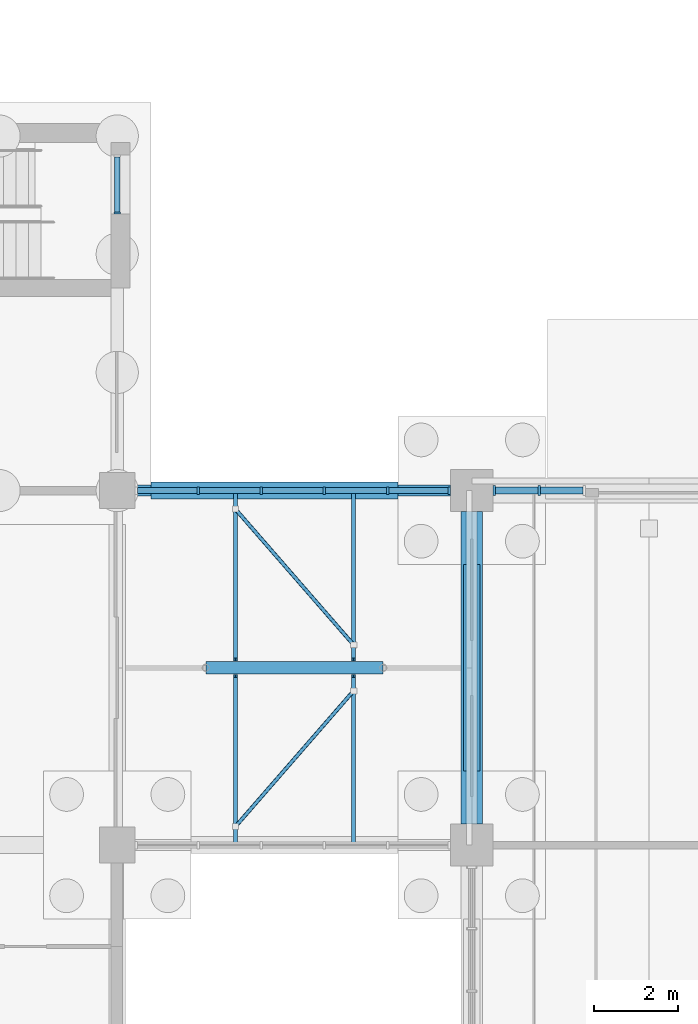
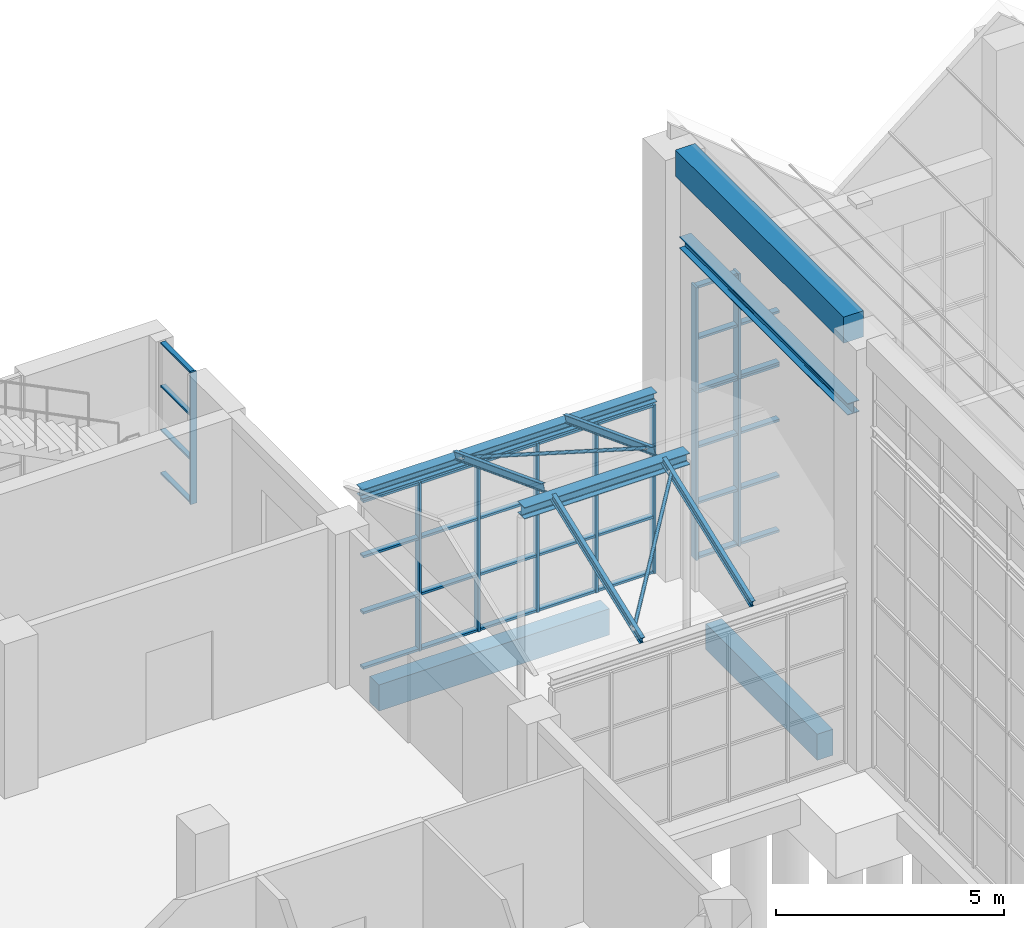
# One storey, part 52 of 138: 49 members, 10 beams, 4 elements without a shape of their own.
"""IFC4 building model written with IfcOpenShell, lengths in metres."""

from ifc_helpers import new_model, si_unit, direction, frame, origin, origin_2d, place, context, subcontext, project, spatial, rectangle, hollow_circle, i_section, extrude, material, material_profile, profile_set, type_object, element, aggregate, save


model = new_model("IFC4")

# Units and contexts
model_context = context("Model", 3, precision=1e-05, world=origin(), true_north=direction((0.0, 1.0)))
body_context = subcontext(model_context, "Body", "Model", "MODEL_VIEW")
ifc_project = project(units=[si_unit("LENGTHUNIT", "METRE"), si_unit("AREAUNIT", "SQUARE_METRE"), si_unit("VOLUMEUNIT", "CUBIC_METRE"), si_unit("PLANEANGLEUNIT", "RADIAN"), si_unit("MASSUNIT", "GRAM", prefix="KILO")], contexts=[model_context])

# Site, building, storey
site_placement = place(None, origin())
site = spatial("IfcSite", under=ifc_project, at=site_placement, CompositionType="ELEMENT")
building_placement = place(site_placement, origin())
building = spatial("IfcBuilding", under=site, at=building_placement, Name="Yavir Park General Hospital", CompositionType="ELEMENT")
storey_placement = place(building_placement, origin())
storey = spatial("IfcBuildingStorey", under=building, at=storey_placement, Name="L00", CompositionType="ELEMENT", Elevation=0.0)

# Members
ifc_material_1 = material(Name="Steel S355", Category="steel")
ifc_material_profile_1 = material_profile(ifc_material_1, hollow_circle(Radius=0.04443359375, WallThickness=0.0048828125, at=origin_2d()), Name="CHS88.9x5")
ifc_profile_set_1 = profile_set([ifc_material_profile_1], Name="Steel S355")
member_type_1 = type_object("IfcMemberType", Name="CHS 88.9x5 roof brace", PredefinedType="BRACE", material=ifc_profile_set_1)
for number, where, z_axis, x_axis, name in (
    (1, (70.0, 59.239013671875, 5.099609375), (0.631187804792, 0.724801062787, 0.276161862799), (-0.754128249894, 0.65672717525, 0.0), "RF:LINK:frame:X:0"),
    (2, (70.0, 66.760986328125, 5.099609375), (0.631187804792, -0.724801062787, 0.276161862799), (0.754128249894, 0.65672717525, 0.0), "RF:LINK:frame:X:1"),
):
    element("IfcMember", number, at=place(storey_placement, frame(where, z_axis=z_axis, x_axis=x_axis)), inside=storey, type_object=member_type_1, Name=name, PredefinedType="BRACE", context=body_context, shape_type="SweptSolid", body=[
        extrude(hollow_circle(Radius=0.04443359375, WallThickness=0.0048828125, at=origin_2d()), origin(), (0.0, 0.0, 1.0), 4.436279296875),
    ])

# Curtain wall, members
ifc_material_2 = material(Name="Aluminium curtain wall frame with insulated glazing", Category="aluminium")
curtain_wall_type_1 = type_object("IfcCurtainWallType", Name="Glazed link walls, 4525 high, 1400 module", PredefinedType="NOTDEFINED", material=ifc_material_2)
curtain_wall_1_placement = place(storey_placement, origin())
curtain_wall_1 = element("IfcCurtainWall", 3, at=curtain_wall_1_placement, inside=storey, type_object=curtain_wall_type_1, Name="CW38 L00-022", PredefinedType="NOTDEFINED")
ifc_material_3 = material(Name="Aluminium", Category="aluminium")
ifc_material_profile_2 = material_profile(ifc_material_3, rectangle(XDim=0.179931640625, YDim=0.06005859375, at=origin_2d()), Name="AL 60x180")
ifc_profile_set_2 = profile_set([ifc_material_profile_2], Name="Aluminium")
member_type_2 = type_object("IfcMemberType", Name="Glazed link walls, 4525 high mullion 60 x 180", PredefinedType="MULLION", material=ifc_profile_set_2)
member_1_placement = place(storey_placement, frame((69.1201171875, 67.199951171875, 0.0), z_axis=(0.0, 0.0, 1.0), x_axis=(0.0, 1.0, 0.0)))
member_1 = element("IfcMember", 4, at=member_1_placement, type_object=member_type_2, Name="CW38 mullion 2", PredefinedType="MULLION", context=body_context, shape_type="SweptSolid", body=[
    extrude(rectangle(XDim=0.179931640625, YDim=0.06005859375, at=origin_2d()), origin(), (0.0, 0.0, 1.0), 4.52490234375),
])
member_2_placement = place(storey_placement, frame((70.614990234375, 67.199951171875, 0.0), z_axis=(0.0, 0.0, 1.0), x_axis=(0.0, 1.0, 0.0)))
member_2 = element("IfcMember", 5, at=member_2_placement, type_object=member_type_2, Name="CW38 mullion 3", PredefinedType="MULLION", context=body_context, shape_type="SweptSolid", body=[
    extrude(rectangle(XDim=0.179931640625, YDim=0.06005859375, at=origin_2d()), origin(), (0.0, 0.0, 1.0), 4.52490234375),
])
member_3_placement = place(storey_placement, frame((72.110107421875, 67.199951171875, 0.0), z_axis=(0.0, 0.0, 1.0), x_axis=(0.0, 1.0, 0.0)))
member_3 = element("IfcMember", 6, at=member_3_placement, type_object=member_type_2, Name="CW38 mullion 4", PredefinedType="MULLION", context=body_context, shape_type="SweptSolid", body=[
    extrude(rectangle(XDim=0.179931640625, YDim=0.06005859375, at=origin_2d()), origin(), (0.0, 0.0, 1.0), 4.52490234375),
])
member_4_placement = place(storey_placement, frame((73.60498046875, 67.199951171875, 0.0), z_axis=(0.0, 0.0, 1.0), x_axis=(0.0, 1.0, 0.0)))
member_4 = element("IfcMember", 7, at=member_4_placement, type_object=member_type_2, Name="CW38 mullion 5", PredefinedType="MULLION", context=body_context, shape_type="SweptSolid", body=[
    extrude(rectangle(XDim=0.179931640625, YDim=0.06005859375, at=origin_2d()), origin(), (0.0, 0.0, 1.0), 4.52490234375),
])
member_5_placement = place(storey_placement, frame((75.070068359375, 67.199951171875, 0.0), z_axis=(0.0, 0.0, 1.0), x_axis=(0.0, 1.0, 0.0)))
member_5 = element("IfcMember", 8, at=member_5_placement, type_object=member_type_2, Name="CW38 mullion 6", PredefinedType="MULLION", context=body_context, shape_type="SweptSolid", body=[
    extrude(rectangle(XDim=0.179931640625, YDim=0.06005859375, at=origin_2d()), origin(), (0.0, 0.0, 1.0), 4.52490234375),
])
ifc_material_4 = material(Name="Aluminium", Category="aluminium")
ifc_material_profile_3 = material_profile(ifc_material_4, rectangle(XDim=0.139892578125, YDim=0.06005859375, at=origin_2d()), Name="AL 140x60")
ifc_profile_set_3 = profile_set([ifc_material_profile_3], Name="Aluminium")
member_type_3 = type_object("IfcMemberType", Name="Glazed link walls, 4525 high transom 60 x 140", PredefinedType="MULLION", material=ifc_profile_set_3)
member_6_placement = place(storey_placement, frame((67.68505859375, 67.199951171875, 0.030029296875), z_axis=(1.0, 0.0, 0.0), x_axis=(0.0, 1.0, 0.0)))
member_6 = element("IfcMember", 9, at=member_6_placement, type_object=member_type_3, Name="CW38 transom 1.1", PredefinedType="MULLION", context=body_context, shape_type="SweptSolid", body=[
    extrude(rectangle(XDim=0.139892578125, YDim=0.06005859375, at=origin_2d()), origin(), (0.0, 0.0, 1.0), 1.405029296875),
])
member_7_placement = place(storey_placement, frame((67.68505859375, 67.199951171875, 1.50830078125), z_axis=(1.0, 0.0, 0.0), x_axis=(0.0, 1.0, 0.0)))
member_7 = element("IfcMember", 10, at=member_7_placement, type_object=member_type_3, Name="CW38 transom 1.2", PredefinedType="MULLION", context=body_context, shape_type="SweptSolid", body=[
    extrude(rectangle(XDim=0.139892578125, YDim=0.06005859375, at=origin_2d()), origin(), (0.0, 0.0, 1.0), 1.405029296875),
])
member_8_placement = place(storey_placement, frame((67.68505859375, 67.199951171875, 3.0166015625), z_axis=(1.0, 0.0, 0.0), x_axis=(0.0, 1.0, 0.0)))
member_8 = element("IfcMember", 11, at=member_8_placement, type_object=member_type_3, Name="CW38 transom 1.3", PredefinedType="MULLION", context=body_context, shape_type="SweptSolid", body=[
    extrude(rectangle(XDim=0.139892578125, YDim=0.06005859375, at=origin_2d()), origin(), (0.0, 0.0, 1.0), 1.405029296875),
])
member_9_placement = place(storey_placement, frame((67.68505859375, 67.199951171875, 4.4951171875), z_axis=(1.0, 0.0, 0.0), x_axis=(0.0, 1.0, 0.0)))
member_9 = element("IfcMember", 12, at=member_9_placement, type_object=member_type_3, Name="CW38 transom 1.4", PredefinedType="MULLION", context=body_context, shape_type="SweptSolid", body=[
    extrude(rectangle(XDim=0.139892578125, YDim=0.06005859375, at=origin_2d()), origin(), (0.0, 0.0, 1.0), 1.405029296875),
])
member_10_placement = place(storey_placement, frame((69.14990234375, 67.199951171875, 0.030029296875), z_axis=(1.0, 0.0, 0.0), x_axis=(0.0, 1.0, 0.0)))
member_10 = element("IfcMember", 13, at=member_10_placement, type_object=member_type_3, Name="CW38 transom 2.1", PredefinedType="MULLION", context=body_context, shape_type="SweptSolid", body=[
    extrude(rectangle(XDim=0.139892578125, YDim=0.06005859375, at=origin_2d()), origin(), (0.0, 0.0, 1.0), 1.43505859375),
])
member_11_placement = place(storey_placement, frame((69.14990234375, 67.199951171875, 1.50830078125), z_axis=(1.0, 0.0, 0.0), x_axis=(0.0, 1.0, 0.0)))
member_11 = element("IfcMember", 14, at=member_11_placement, type_object=member_type_3, Name="CW38 transom 2.2", PredefinedType="MULLION", context=body_context, shape_type="SweptSolid", body=[
    extrude(rectangle(XDim=0.139892578125, YDim=0.06005859375, at=origin_2d()), origin(), (0.0, 0.0, 1.0), 1.43505859375),
])
member_12_placement = place(storey_placement, frame((69.14990234375, 67.199951171875, 3.0166015625), z_axis=(1.0, 0.0, 0.0), x_axis=(0.0, 1.0, 0.0)))
member_12 = element("IfcMember", 15, at=member_12_placement, type_object=member_type_3, Name="CW38 transom 2.3", PredefinedType="MULLION", context=body_context, shape_type="SweptSolid", body=[
    extrude(rectangle(XDim=0.139892578125, YDim=0.06005859375, at=origin_2d()), origin(), (0.0, 0.0, 1.0), 1.43505859375),
])
member_13_placement = place(storey_placement, frame((69.14990234375, 67.199951171875, 4.4951171875), z_axis=(1.0, 0.0, 0.0), x_axis=(0.0, 1.0, 0.0)))
member_13 = element("IfcMember", 16, at=member_13_placement, type_object=member_type_3, Name="CW38 transom 2.4", PredefinedType="MULLION", context=body_context, shape_type="SweptSolid", body=[
    extrude(rectangle(XDim=0.139892578125, YDim=0.06005859375, at=origin_2d()), origin(), (0.0, 0.0, 1.0), 1.43505859375),
])
member_14_placement = place(storey_placement, frame((70.64501953125, 67.199951171875, 0.030029296875), z_axis=(1.0, 0.0, 0.0), x_axis=(0.0, 1.0, 0.0)))
member_14 = element("IfcMember", 17, at=member_14_placement, type_object=member_type_3, Name="CW38 transom 3.1", PredefinedType="MULLION", context=body_context, shape_type="SweptSolid", body=[
    extrude(rectangle(XDim=0.139892578125, YDim=0.06005859375, at=origin_2d()), origin(), (0.0, 0.0, 1.0), 1.43505859375),
])
member_15_placement = place(storey_placement, frame((70.64501953125, 67.199951171875, 1.50830078125), z_axis=(1.0, 0.0, 0.0), x_axis=(0.0, 1.0, 0.0)))
member_15 = element("IfcMember", 18, at=member_15_placement, type_object=member_type_3, Name="CW38 transom 3.2", PredefinedType="MULLION", context=body_context, shape_type="SweptSolid", body=[
    extrude(rectangle(XDim=0.139892578125, YDim=0.06005859375, at=origin_2d()), origin(), (0.0, 0.0, 1.0), 1.43505859375),
])
member_16_placement = place(storey_placement, frame((70.64501953125, 67.199951171875, 3.0166015625), z_axis=(1.0, 0.0, 0.0), x_axis=(0.0, 1.0, 0.0)))
member_16 = element("IfcMember", 19, at=member_16_placement, type_object=member_type_3, Name="CW38 transom 3.3", PredefinedType="MULLION", context=body_context, shape_type="SweptSolid", body=[
    extrude(rectangle(XDim=0.139892578125, YDim=0.06005859375, at=origin_2d()), origin(), (0.0, 0.0, 1.0), 1.43505859375),
])
member_17_placement = place(storey_placement, frame((70.64501953125, 67.199951171875, 4.4951171875), z_axis=(1.0, 0.0, 0.0), x_axis=(0.0, 1.0, 0.0)))
member_17 = element("IfcMember", 20, at=member_17_placement, type_object=member_type_3, Name="CW38 transom 3.4", PredefinedType="MULLION", context=body_context, shape_type="SweptSolid", body=[
    extrude(rectangle(XDim=0.139892578125, YDim=0.06005859375, at=origin_2d()), origin(), (0.0, 0.0, 1.0), 1.43505859375),
])
member_18_placement = place(storey_placement, frame((72.139892578125, 67.199951171875, 0.030029296875), z_axis=(1.0, 0.0, 0.0), x_axis=(0.0, 1.0, 0.0)))
member_18 = element("IfcMember", 21, at=member_18_placement, type_object=member_type_3, Name="CW38 transom 4.1", PredefinedType="MULLION", context=body_context, shape_type="SweptSolid", body=[
    extrude(rectangle(XDim=0.139892578125, YDim=0.06005859375, at=origin_2d()), origin(), (0.0, 0.0, 1.0), 1.43505859375),
])
member_19_placement = place(storey_placement, frame((72.139892578125, 67.199951171875, 1.50830078125), z_axis=(1.0, 0.0, 0.0), x_axis=(0.0, 1.0, 0.0)))
member_19 = element("IfcMember", 22, at=member_19_placement, type_object=member_type_3, Name="CW38 transom 4.2", PredefinedType="MULLION", context=body_context, shape_type="SweptSolid", body=[
    extrude(rectangle(XDim=0.139892578125, YDim=0.06005859375, at=origin_2d()), origin(), (0.0, 0.0, 1.0), 1.43505859375),
])
member_20_placement = place(storey_placement, frame((72.139892578125, 67.199951171875, 3.0166015625), z_axis=(1.0, 0.0, 0.0), x_axis=(0.0, 1.0, 0.0)))
member_20 = element("IfcMember", 23, at=member_20_placement, type_object=member_type_3, Name="CW38 transom 4.3", PredefinedType="MULLION", context=body_context, shape_type="SweptSolid", body=[
    extrude(rectangle(XDim=0.139892578125, YDim=0.06005859375, at=origin_2d()), origin(), (0.0, 0.0, 1.0), 1.43505859375),
])
member_21_placement = place(storey_placement, frame((72.139892578125, 67.199951171875, 4.4951171875), z_axis=(1.0, 0.0, 0.0), x_axis=(0.0, 1.0, 0.0)))
member_21 = element("IfcMember", 24, at=member_21_placement, type_object=member_type_3, Name="CW38 transom 4.4", PredefinedType="MULLION", context=body_context, shape_type="SweptSolid", body=[
    extrude(rectangle(XDim=0.139892578125, YDim=0.06005859375, at=origin_2d()), origin(), (0.0, 0.0, 1.0), 1.43505859375),
])
member_22_placement = place(storey_placement, frame((73.635009765625, 67.199951171875, 0.030029296875), z_axis=(1.0, 0.0, 0.0), x_axis=(0.0, 1.0, 0.0)))
member_22 = element("IfcMember", 25, at=member_22_placement, type_object=member_type_3, Name="CW38 transom 5.1", PredefinedType="MULLION", context=body_context, shape_type="SweptSolid", body=[
    extrude(rectangle(XDim=0.139892578125, YDim=0.06005859375, at=origin_2d()), origin(), (0.0, 0.0, 1.0), 1.405029296875),
])
member_23_placement = place(storey_placement, frame((73.635009765625, 67.199951171875, 1.50830078125), z_axis=(1.0, 0.0, 0.0), x_axis=(0.0, 1.0, 0.0)))
member_23 = element("IfcMember", 26, at=member_23_placement, type_object=member_type_3, Name="CW38 transom 5.2", PredefinedType="MULLION", context=body_context, shape_type="SweptSolid", body=[
    extrude(rectangle(XDim=0.139892578125, YDim=0.06005859375, at=origin_2d()), origin(), (0.0, 0.0, 1.0), 1.405029296875),
])
member_24_placement = place(storey_placement, frame((73.635009765625, 67.199951171875, 3.0166015625), z_axis=(1.0, 0.0, 0.0), x_axis=(0.0, 1.0, 0.0)))
member_24 = element("IfcMember", 27, at=member_24_placement, type_object=member_type_3, Name="CW38 transom 5.3", PredefinedType="MULLION", context=body_context, shape_type="SweptSolid", body=[
    extrude(rectangle(XDim=0.139892578125, YDim=0.06005859375, at=origin_2d()), origin(), (0.0, 0.0, 1.0), 1.405029296875),
])
member_25_placement = place(storey_placement, frame((73.635009765625, 67.199951171875, 4.4951171875), z_axis=(1.0, 0.0, 0.0), x_axis=(0.0, 1.0, 0.0)))
member_25 = element("IfcMember", 28, at=member_25_placement, type_object=member_type_3, Name="CW38 transom 5.4", PredefinedType="MULLION", context=body_context, shape_type="SweptSolid", body=[
    extrude(rectangle(XDim=0.139892578125, YDim=0.06005859375, at=origin_2d()), origin(), (0.0, 0.0, 1.0), 1.405029296875),
])
aggregate(curtain_wall_1, [member_1, member_2, member_3, member_4, member_5, member_6, member_7, member_8, member_9, member_10, member_11, member_12, member_13, member_14, member_15, member_16, member_17, member_18, member_19, member_20, member_21, member_22, member_23, member_24, member_25])

# Beams
ifc_material_5 = material(Name="Steel S355", Category="steel")
ifc_material_profile_4 = material_profile(ifc_material_5, i_section(OverallWidth=0.260009765625, OverallDepth=0.25, WebThickness=0.007568359375, FlangeThickness=0.012451171875, FilletRadius=0.02392578125, at=origin_2d()), Name="HEA260")
ifc_profile_set_4 = profile_set([ifc_material_profile_4], Name="Steel S355")
beam_type_1 = type_object("IfcBeamType", Name="HEA 260 eave beam", PredefinedType="BEAM", material=ifc_profile_set_4)
beam_1_placement = place(storey_placement, frame((67.625, 67.199951171875, 4.7470703125), z_axis=(1.0, 0.0, 0.0), x_axis=(0.0, 1.0, 0.0)))
element("IfcBeam", 29, at=beam_1_placement, inside=storey, type_object=beam_type_1, Name="RF:LINK:frame:E:1", PredefinedType="BEAM", context=body_context, shape_type="SweptSolid", body=[
    extrude(i_section(OverallWidth=0.260009765625, OverallDepth=0.25, WebThickness=0.007568359375, FlangeThickness=0.012451171875, FilletRadius=0.02392578125, at=origin_2d()), origin(), (0.0, 0.0, 1.0), 7.47509765625),
])
ifc_material_6 = material(Name="Steel S355", Category="steel")
ifc_material_profile_5 = material_profile(ifc_material_6, i_section(OverallWidth=0.300048828125, OverallDepth=0.31005859375, WebThickness=0.009033203125, FlangeThickness=0.015380859375, FilletRadius=0.027099609375, at=origin_2d()), Name="HEA320")
ifc_profile_set_5 = profile_set([ifc_material_profile_5], Name="Steel S355")
beam_type_2 = type_object("IfcBeamType", Name="HEA 320 ridge beam", PredefinedType="BEAM", material=ifc_profile_set_5)
beam_2_placement = place(storey_placement, frame((69.300048828125, 63.0, 6.212890625), z_axis=(1.0, 0.0, 0.0), x_axis=(0.0, 1.0, 0.0)))
element("IfcBeam", 30, at=beam_2_placement, inside=storey, type_object=beam_type_2, Name="RF:LINK:frame:G:0", PredefinedType="BEAM", context=body_context, shape_type="SweptSolid", body=[
    extrude(i_section(OverallWidth=0.300048828125, OverallDepth=0.31005859375, WebThickness=0.009033203125, FlangeThickness=0.015380859375, FilletRadius=0.027099609375, at=origin_2d()), origin(), (0.0, 0.0, 1.0), 4.199951171875),
])
ifc_material_7 = material(Name="Steel S355", Category="steel")
ifc_material_profile_6 = material_profile(ifc_material_7, i_section(OverallWidth=0.300048828125, OverallDepth=0.31005859375, WebThickness=0.009033203125, FlangeThickness=0.015380859375, FilletRadius=0.027099609375, at=origin_2d()), Name="HEA320")
ifc_profile_set_6 = profile_set([ifc_material_profile_6], Name="Steel S355")
beam_type_3 = type_object("IfcBeamType", Name="HEA 320 wind girder", PredefinedType="BEAM", material=ifc_profile_set_6)
beam_3_placement = place(storey_placement, frame((75.60009765625, 59.300048828125, 9.0), z_axis=(0.0, 1.0, 0.0), x_axis=(-1.0, 0.0, 0.0)))
element("IfcBeam", 31, at=beam_3_placement, inside=storey, type_object=beam_type_3, Name="B:HALL:WIND:W2", PredefinedType="BEAM", context=body_context, shape_type="SweptSolid", body=[
    extrude(i_section(OverallWidth=0.300048828125, OverallDepth=0.31005859375, WebThickness=0.009033203125, FlangeThickness=0.015380859375, FilletRadius=0.027099609375, at=origin_2d()), origin(), (0.0, 0.0, 1.0), 7.39990234375),
])
ifc_material_8 = material(Name="Steel S355", Category="steel")
ifc_material_profile_7 = material_profile(ifc_material_8, i_section(OverallWidth=0.10009765625, OverallDepth=0.199951171875, WebThickness=0.005615234375, FlangeThickness=0.008544921875, FilletRadius=0.011962890625, at=origin_2d()), Name="IPE200")
ifc_profile_set_7 = profile_set([ifc_material_profile_7], Name="Steel S355")
beam_type_4 = type_object("IfcBeamType", Name="IPE 200 rafter", PredefinedType="JOIST", material=ifc_profile_set_7)
for number, where, z_axis, x_axis, name in (
    (32, (70.0, 58.888916015625, 4.96630859375), (0.0, 0.93448219659, 0.356009865392), (-1.0, 0.0, 0.0), "RF:LINK:frame:R:0"),
    (33, (70.0, 63.195556640625, 6.4580078125), (0.0, 0.93448219659, -0.356009865392), (-1.0, 0.0, 0.0), "RF:LINK:frame:R:1"),
    (34, (72.800048828125, 58.888916015625, 4.96630859375), (0.0, 0.93448219659, 0.356009865392), (-1.0, 0.0, 0.0), "RF:LINK:frame:R:2"),
    (35, (72.800048828125, 63.195556640625, 6.4580078125), (0.0, 0.93448219659, -0.356009865392), (-1.0, 0.0, 0.0), "RF:LINK:frame:R:3"),
):
    element("IfcBeam", number, at=place(storey_placement, frame(where, z_axis=z_axis, x_axis=x_axis)), inside=storey, type_object=beam_type_4, Name=name, PredefinedType="JOIST", context=body_context, shape_type="SweptSolid", body=[
        extrude(i_section(OverallWidth=0.10009765625, OverallDepth=0.199951171875, WebThickness=0.005615234375, FlangeThickness=0.008544921875, FilletRadius=0.011962890625, at=origin_2d()), origin(), (0.0, 0.0, 1.0), 4.18994140625),
    ])

# Curtain wall, members
ifc_material_9 = material(Name="Aluminium curtain wall frame with insulated glazing", Category="aluminium")
curtain_wall_type_2 = type_object("IfcCurtainWallType", Name="Main hall glazing, lower band, 4500 high, 1400 module", PredefinedType="NOTDEFINED", material=ifc_material_9)
curtain_wall_2_placement = place(storey_placement, origin())
curtain_wall_2 = element("IfcCurtainWall", 36, at=curtain_wall_2_placement, inside=storey, type_object=curtain_wall_type_2, Name="CW33 L00-023", PredefinedType="NOTDEFINED")
ifc_material_10 = material(Name="Aluminium", Category="aluminium")
ifc_material_profile_8 = material_profile(ifc_material_10, rectangle(XDim=0.239990234375, YDim=0.06005859375, at=origin_2d()), Name="AL 60x240")
ifc_profile_set_8 = profile_set([ifc_material_profile_8], Name="Aluminium")
member_type_4 = type_object("IfcMemberType", Name="Main hall glazing, lower band, 4500 high mullion 60 x 240", PredefinedType="MULLION", material=ifc_profile_set_8)
member_26_placement = place(storey_placement, frame((76.1298828125, 67.199951171875, 0.0), z_axis=(0.0, 0.0, 1.0), x_axis=(0.0, 1.0, 0.0)))
member_26 = element("IfcMember", 37, at=member_26_placement, type_object=member_type_4, Name="CW33 mullion 1", PredefinedType="MULLION", context=body_context, shape_type="SweptSolid", body=[
    extrude(rectangle(XDim=0.239990234375, YDim=0.06005859375, at=origin_2d()), origin(), (0.0, 0.0, 1.0), 4.5),
])
member_27_placement = place(storey_placement, frame((77.199951171875, 67.199951171875, 0.0), z_axis=(0.0, 0.0, 1.0), x_axis=(0.0, 1.0, 0.0)))
member_27 = element("IfcMember", 38, at=member_27_placement, type_object=member_type_4, Name="CW33 mullion 2", PredefinedType="MULLION", context=body_context, shape_type="SweptSolid", body=[
    extrude(rectangle(XDim=0.239990234375, YDim=0.06005859375, at=origin_2d()), origin(), (0.0, 0.0, 1.0), 4.5),
])
ifc_material_11 = material(Name="Aluminium", Category="aluminium")
ifc_material_profile_9 = material_profile(ifc_material_11, rectangle(XDim=0.159912109375, YDim=0.06005859375, at=origin_2d()), Name="AL 160x60")
ifc_profile_set_9 = profile_set([ifc_material_profile_9], Name="Aluminium")
member_type_5 = type_object("IfcMemberType", Name="Main hall glazing, lower band, 4500 high transom 60 x 160", PredefinedType="MULLION", material=ifc_profile_set_9)
member_28_placement = place(storey_placement, frame((76.159912109375, 67.199951171875, 0.030029296875), z_axis=(1.0, 0.0, 0.0), x_axis=(0.0, 1.0, 0.0)))
member_28 = element("IfcMember", 39, at=member_28_placement, type_object=member_type_5, Name="CW33 transom 1.1", PredefinedType="MULLION", context=body_context, shape_type="SweptSolid", body=[
    extrude(rectangle(XDim=0.159912109375, YDim=0.06005859375, at=origin_2d()), origin(), (0.0, 0.0, 1.0), 1.010009765625),
])
member_29_placement = place(storey_placement, frame((76.159912109375, 67.199951171875, 1.5), z_axis=(1.0, 0.0, 0.0), x_axis=(0.0, 1.0, 0.0)))
member_29 = element("IfcMember", 40, at=member_29_placement, type_object=member_type_5, Name="CW33 transom 1.2", PredefinedType="MULLION", context=body_context, shape_type="SweptSolid", body=[
    extrude(rectangle(XDim=0.159912109375, YDim=0.06005859375, at=origin_2d()), origin(), (0.0, 0.0, 1.0), 1.010009765625),
])
member_30_placement = place(storey_placement, frame((76.159912109375, 67.199951171875, 3.0), z_axis=(1.0, 0.0, 0.0), x_axis=(0.0, 1.0, 0.0)))
member_30 = element("IfcMember", 41, at=member_30_placement, type_object=member_type_5, Name="CW33 transom 1.3", PredefinedType="MULLION", context=body_context, shape_type="SweptSolid", body=[
    extrude(rectangle(XDim=0.159912109375, YDim=0.06005859375, at=origin_2d()), origin(), (0.0, 0.0, 1.0), 1.010009765625),
])
member_31_placement = place(storey_placement, frame((76.159912109375, 67.199951171875, 4.469970703125), z_axis=(1.0, 0.0, 0.0), x_axis=(0.0, 1.0, 0.0)))
member_31 = element("IfcMember", 42, at=member_31_placement, type_object=member_type_5, Name="CW33 transom 1.4", PredefinedType="MULLION", context=body_context, shape_type="SweptSolid", body=[
    extrude(rectangle(XDim=0.159912109375, YDim=0.06005859375, at=origin_2d()), origin(), (0.0, 0.0, 1.0), 1.010009765625),
])
member_32_placement = place(storey_placement, frame((77.22998046875, 67.199951171875, 0.030029296875), z_axis=(1.0, 0.0, 0.0), x_axis=(0.0, 1.0, 0.0)))
member_32 = element("IfcMember", 43, at=member_32_placement, type_object=member_type_5, Name="CW33 transom 2.1", PredefinedType="MULLION", context=body_context, shape_type="SweptSolid", body=[
    extrude(rectangle(XDim=0.159912109375, YDim=0.06005859375, at=origin_2d()), origin(), (0.0, 0.0, 1.0), 1.010009765625),
])
member_33_placement = place(storey_placement, frame((77.22998046875, 67.199951171875, 1.5), z_axis=(1.0, 0.0, 0.0), x_axis=(0.0, 1.0, 0.0)))
member_33 = element("IfcMember", 44, at=member_33_placement, type_object=member_type_5, Name="CW33 transom 2.2", PredefinedType="MULLION", context=body_context, shape_type="SweptSolid", body=[
    extrude(rectangle(XDim=0.159912109375, YDim=0.06005859375, at=origin_2d()), origin(), (0.0, 0.0, 1.0), 1.010009765625),
])
member_34_placement = place(storey_placement, frame((77.22998046875, 67.199951171875, 3.0), z_axis=(1.0, 0.0, 0.0), x_axis=(0.0, 1.0, 0.0)))
member_34 = element("IfcMember", 45, at=member_34_placement, type_object=member_type_5, Name="CW33 transom 2.3", PredefinedType="MULLION", context=body_context, shape_type="SweptSolid", body=[
    extrude(rectangle(XDim=0.159912109375, YDim=0.06005859375, at=origin_2d()), origin(), (0.0, 0.0, 1.0), 1.010009765625),
])
member_35_placement = place(storey_placement, frame((77.22998046875, 67.199951171875, 4.469970703125), z_axis=(1.0, 0.0, 0.0), x_axis=(0.0, 1.0, 0.0)))
member_35 = element("IfcMember", 46, at=member_35_placement, type_object=member_type_5, Name="CW33 transom 2.4", PredefinedType="MULLION", context=body_context, shape_type="SweptSolid", body=[
    extrude(rectangle(XDim=0.159912109375, YDim=0.06005859375, at=origin_2d()), origin(), (0.0, 0.0, 1.0), 1.010009765625),
])
aggregate(curtain_wall_2, [member_26, member_27, member_28, member_29, member_30, member_31, member_32, member_33, member_34, member_35])

ifc_material_12 = material(Name="Aluminium curtain wall frame with insulated glazing", Category="aluminium")
curtain_wall_type_3 = type_object("IfcCurtainWallType", Name="Main hall glazing, upper band, 2817 high, 1400 module", PredefinedType="NOTDEFINED", material=ifc_material_12)
curtain_wall_3_placement = place(storey_placement, origin())
curtain_wall_3 = element("IfcCurtainWall", 47, at=curtain_wall_3_placement, inside=storey, type_object=curtain_wall_type_3, Name="CW34 L00-024", PredefinedType="NOTDEFINED")
ifc_material_13 = material(Name="Aluminium", Category="aluminium")
ifc_material_profile_10 = material_profile(ifc_material_13, rectangle(XDim=0.239990234375, YDim=0.06005859375, at=origin_2d()), Name="AL 60x240")
ifc_profile_set_10 = profile_set([ifc_material_profile_10], Name="Aluminium")
member_type_6 = type_object("IfcMemberType", Name="Main hall glazing, upper band, 2817 high mullion 60 x 240", PredefinedType="MULLION", material=ifc_profile_set_10)
member_36_placement = place(storey_placement, frame((76.1298828125, 67.199951171875, 4.5), z_axis=(0.0, 0.0, 1.0), x_axis=(0.0, 1.0, 0.0)))
member_36 = element("IfcMember", 48, at=member_36_placement, type_object=member_type_6, Name="CW34 mullion 1", PredefinedType="MULLION", context=body_context, shape_type="SweptSolid", body=[
    extrude(rectangle(XDim=0.239990234375, YDim=0.06005859375, at=origin_2d()), origin(), (0.0, 0.0, 1.0), 2.81689453125),
])
member_37_placement = place(storey_placement, frame((77.199951171875, 67.199951171875, 4.5), z_axis=(0.0, 0.0, 1.0), x_axis=(0.0, 1.0, 0.0)))
member_37 = element("IfcMember", 49, at=member_37_placement, type_object=member_type_6, Name="CW34 mullion 2", PredefinedType="MULLION", context=body_context, shape_type="SweptSolid", body=[
    extrude(rectangle(XDim=0.239990234375, YDim=0.06005859375, at=origin_2d()), origin(), (0.0, 0.0, 1.0), 2.81689453125),
])
ifc_material_14 = material(Name="Aluminium", Category="aluminium")
ifc_material_profile_11 = material_profile(ifc_material_14, rectangle(XDim=0.159912109375, YDim=0.06005859375, at=origin_2d()), Name="AL 160x60")
ifc_profile_set_11 = profile_set([ifc_material_profile_11], Name="Aluminium")
member_type_7 = type_object("IfcMemberType", Name="Main hall glazing, upper band, 2817 high transom 60 x 160", PredefinedType="MULLION", material=ifc_profile_set_11)
member_38_placement = place(storey_placement, frame((76.159912109375, 67.199951171875, 4.530029296875), z_axis=(1.0, 0.0, 0.0), x_axis=(0.0, 1.0, 0.0)))
member_38 = element("IfcMember", 50, at=member_38_placement, type_object=member_type_7, Name="CW34 transom 1.1", PredefinedType="MULLION", context=body_context, shape_type="SweptSolid", body=[
    extrude(rectangle(XDim=0.159912109375, YDim=0.06005859375, at=origin_2d()), origin(), (0.0, 0.0, 1.0), 1.010009765625),
])
member_39_placement = place(storey_placement, frame((76.159912109375, 67.199951171875, 5.908447265625), z_axis=(1.0, 0.0, 0.0), x_axis=(0.0, 1.0, 0.0)))
member_39 = element("IfcMember", 51, at=member_39_placement, type_object=member_type_7, Name="CW34 transom 1.2", PredefinedType="MULLION", context=body_context, shape_type="SweptSolid", body=[
    extrude(rectangle(XDim=0.159912109375, YDim=0.06005859375, at=origin_2d()), origin(), (0.0, 0.0, 1.0), 1.010009765625),
])
member_40_placement = place(storey_placement, frame((76.159912109375, 67.199951171875, 7.287109375), z_axis=(1.0, 0.0, 0.0), x_axis=(0.0, 1.0, 0.0)))
member_40 = element("IfcMember", 52, at=member_40_placement, type_object=member_type_7, Name="CW34 transom 1.3", PredefinedType="MULLION", context=body_context, shape_type="SweptSolid", body=[
    extrude(rectangle(XDim=0.159912109375, YDim=0.06005859375, at=origin_2d()), origin(), (0.0, 0.0, 1.0), 1.010009765625),
])
member_41_placement = place(storey_placement, frame((77.22998046875, 67.199951171875, 4.530029296875), z_axis=(1.0, 0.0, 0.0), x_axis=(0.0, 1.0, 0.0)))
member_41 = element("IfcMember", 53, at=member_41_placement, type_object=member_type_7, Name="CW34 transom 2.1", PredefinedType="MULLION", context=body_context, shape_type="SweptSolid", body=[
    extrude(rectangle(XDim=0.159912109375, YDim=0.06005859375, at=origin_2d()), origin(), (0.0, 0.0, 1.0), 1.010009765625),
])
member_42_placement = place(storey_placement, frame((77.22998046875, 67.199951171875, 5.908447265625), z_axis=(1.0, 0.0, 0.0), x_axis=(0.0, 1.0, 0.0)))
member_42 = element("IfcMember", 54, at=member_42_placement, type_object=member_type_7, Name="CW34 transom 2.2", PredefinedType="MULLION", context=body_context, shape_type="SweptSolid", body=[
    extrude(rectangle(XDim=0.159912109375, YDim=0.06005859375, at=origin_2d()), origin(), (0.0, 0.0, 1.0), 1.010009765625),
])
aggregate(curtain_wall_3, [member_36, member_37, member_38, member_39, member_40, member_41, member_42])

# Beams
ifc_material_15 = material(Name="Concrete C35/45", Category="concrete")
ifc_material_profile_12 = material_profile(ifc_material_15, rectangle(XDim=0.39990234375, YDim=0.699951171875, at=origin_2d()), Name="RC400x700")
ifc_profile_set_12 = profile_set([ifc_material_profile_12], Name="Concrete C35/45")
beam_type_5 = type_object("IfcBeamType", Name="RC BEAM 400x700 ground beam", PredefinedType="BEAM", material=ifc_profile_set_12)
beam_4_placement = place(storey_placement, frame((68.0, 67.199951171875, -0.800048828125), z_axis=(1.0, 0.0, 0.0), x_axis=(0.0, 1.0, 0.0)))
element("IfcBeam", 55, at=beam_4_placement, inside=storey, type_object=beam_type_5, Name="B:GND:L00:CS2:L00:10J", PredefinedType="BEAM", context=body_context, shape_type="SweptSolid", body=[
    extrude(rectangle(XDim=0.39990234375, YDim=0.699951171875, at=origin_2d()), origin(), (0.0, 0.0, 1.0), 5.85009765625),
])
beam_5_placement = place(storey_placement, frame((75.60009765625, 60.550048828125, -0.800048828125), z_axis=(0.0, 1.0, 0.0), x_axis=(-1.0, 0.0, 0.0)))
element("IfcBeam", 56, at=beam_5_placement, inside=storey, type_object=beam_type_5, Name="B:GND:L00:10H:L00:10J", PredefinedType="BEAM", context=body_context, shape_type="SweptSolid", body=[
    extrude(rectangle(XDim=0.39990234375, YDim=0.699951171875, at=origin_2d()), origin(), (0.0, 0.0, 1.0), 4.89990234375),
])
ifc_material_16 = material(Name="Concrete C35/45", Category="concrete")
ifc_material_profile_13 = material_profile(ifc_material_16, rectangle(XDim=0.5, YDim=0.699951171875, at=origin_2d()), Name="RC500x700")
ifc_profile_set_13 = profile_set([ifc_material_profile_13], Name="Concrete C35/45")
beam_type_6 = type_object("IfcBeamType", Name="RC BEAM 500x700 hall edge girder", PredefinedType="BEAM", material=ifc_profile_set_13)
beam_6_placement = place(storey_placement, frame((75.60009765625, 59.300048828125, 11.1650390625), z_axis=(0.0, 1.0, 0.0), x_axis=(-1.0, 0.0, 0.0)))
element("IfcBeam", 57, at=beam_6_placement, inside=storey, type_object=beam_type_6, Name="B:HALL:EDGE:W2", PredefinedType="BEAM", context=body_context, shape_type="SweptSolid", body=[
    extrude(rectangle(XDim=0.5, YDim=0.699951171875, at=origin_2d()), origin(), (0.0, 0.0, 1.0), 7.39990234375),
])

# Curtain wall, members
ifc_material_17 = material(Name="Aluminium curtain wall frame with insulated glazing", Category="aluminium")
curtain_wall_type_4 = type_object("IfcCurtainWallType", Name="Stair light slot, ground floor, 3540 high, 1400 module", PredefinedType="NOTDEFINED", material=ifc_material_17)
curtain_wall_4_placement = place(storey_placement, origin())
curtain_wall_4 = element("IfcCurtainWall", 58, at=curtain_wall_4_placement, inside=storey, type_object=curtain_wall_type_4, Name="CW19 L00-047", PredefinedType="NOTDEFINED")
ifc_material_18 = material(Name="Aluminium", Category="aluminium")
ifc_material_profile_14 = material_profile(ifc_material_18, rectangle(XDim=0.159912109375, YDim=0.050048828125, at=origin_2d()), Name="AL 50x160")
ifc_profile_set_14 = profile_set([ifc_material_profile_14], Name="Aluminium")
member_type_8 = type_object("IfcMemberType", Name="Stair light slot, ground floor, 3540 high mullion 50 x 160", PredefinedType="MULLION", material=ifc_profile_set_14)
member_43_placement = place(storey_placement, frame((67.199951171875, 73.77490234375, 0.60009765625), z_axis=(0.0, 0.0, 1.0), x_axis=(-1.0, 0.0, 0.0)))
member_43 = element("IfcMember", 59, at=member_43_placement, type_object=member_type_8, Name="CW19 mullion 1", PredefinedType="MULLION", context=body_context, shape_type="SweptSolid", body=[
    extrude(rectangle(XDim=0.159912109375, YDim=0.050048828125, at=origin_2d()), origin(), (0.0, 0.0, 1.0), 3.539794921875),
])
ifc_material_19 = material(Name="Aluminium", Category="aluminium")
ifc_material_profile_15 = material_profile(ifc_material_19, rectangle(XDim=0.1201171875, YDim=0.050048828125, at=origin_2d()), Name="AL 120x50")
ifc_profile_set_15 = profile_set([ifc_material_profile_15], Name="Aluminium")
member_type_9 = type_object("IfcMemberType", Name="Stair light slot, ground floor, 3540 high transom 50 x 120", PredefinedType="MULLION", material=ifc_profile_set_15)
member_44_placement = place(storey_placement, frame((67.199951171875, 73.800048828125, 0.625), z_axis=(0.0, 1.0, 0.0), x_axis=(-1.0, 0.0, 0.0)))
member_44 = element("IfcMember", 60, at=member_44_placement, type_object=member_type_9, Name="CW19 transom 1.1", PredefinedType="MULLION", context=body_context, shape_type="SweptSolid", body=[
    extrude(rectangle(XDim=0.1201171875, YDim=0.050048828125, at=origin_2d()), origin(), (0.0, 0.0, 1.0), 1.300048828125),
])
member_45_placement = place(storey_placement, frame((67.199951171875, 73.800048828125, 1.780029296875), z_axis=(0.0, 1.0, 0.0), x_axis=(-1.0, 0.0, 0.0)))
member_45 = element("IfcMember", 61, at=member_45_placement, type_object=member_type_9, Name="CW19 transom 1.2", PredefinedType="MULLION", context=body_context, shape_type="SweptSolid", body=[
    extrude(rectangle(XDim=0.1201171875, YDim=0.050048828125, at=origin_2d()), origin(), (0.0, 0.0, 1.0), 1.300048828125),
])
member_46_placement = place(storey_placement, frame((67.199951171875, 73.800048828125, 2.9599609375), z_axis=(0.0, 1.0, 0.0), x_axis=(-1.0, 0.0, 0.0)))
member_46 = element("IfcMember", 62, at=member_46_placement, type_object=member_type_9, Name="CW19 transom 1.3", PredefinedType="MULLION", context=body_context, shape_type="SweptSolid", body=[
    extrude(rectangle(XDim=0.1201171875, YDim=0.050048828125, at=origin_2d()), origin(), (0.0, 0.0, 1.0), 1.300048828125),
])
member_47_placement = place(storey_placement, frame((67.199951171875, 73.800048828125, 4.114990234375), z_axis=(0.0, 1.0, 0.0), x_axis=(-1.0, 0.0, 0.0)))
member_47 = element("IfcMember", 63, at=member_47_placement, type_object=member_type_9, Name="CW19 transom 1.4", PredefinedType="MULLION", context=body_context, shape_type="SweptSolid", body=[
    extrude(rectangle(XDim=0.1201171875, YDim=0.050048828125, at=origin_2d()), origin(), (0.0, 0.0, 1.0), 1.300048828125),
])
aggregate(curtain_wall_4, [member_43, member_44, member_45, member_46, member_47])

save(model, "model.ifc")
